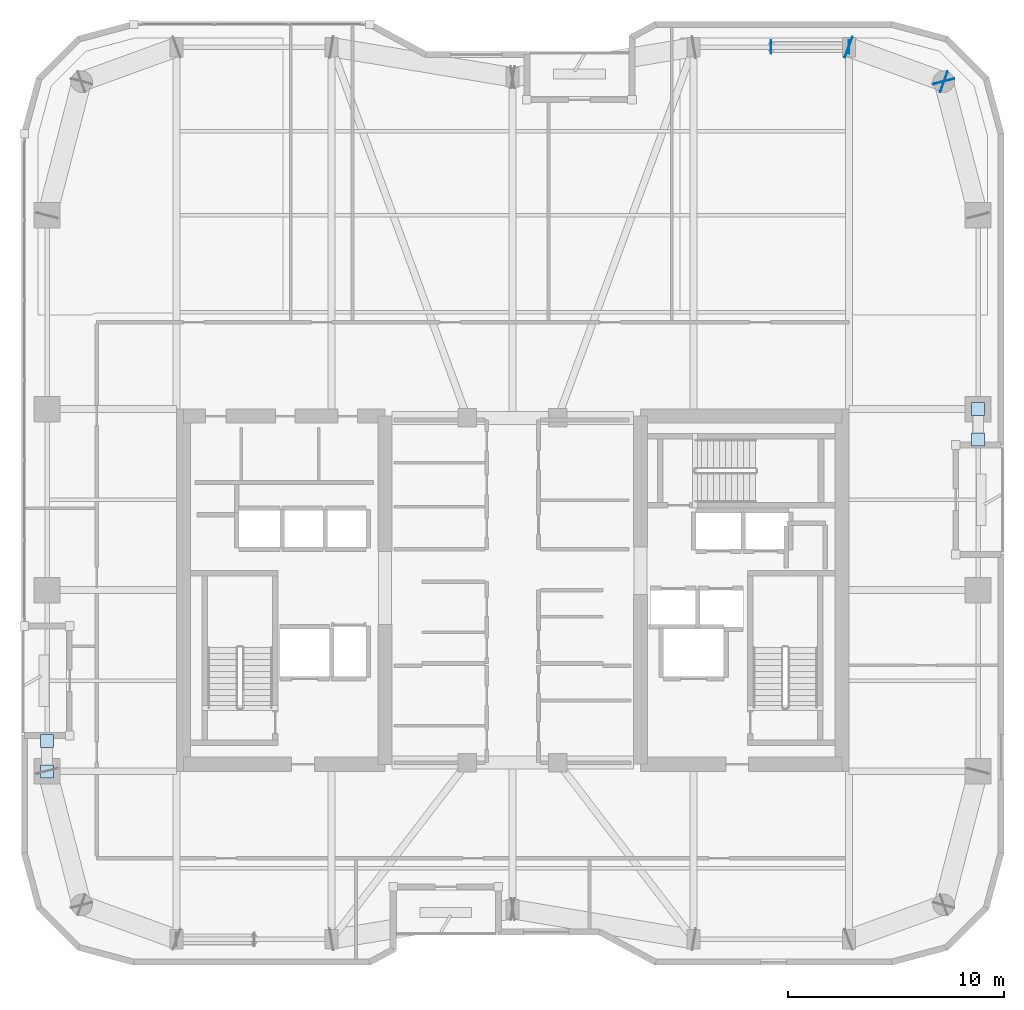
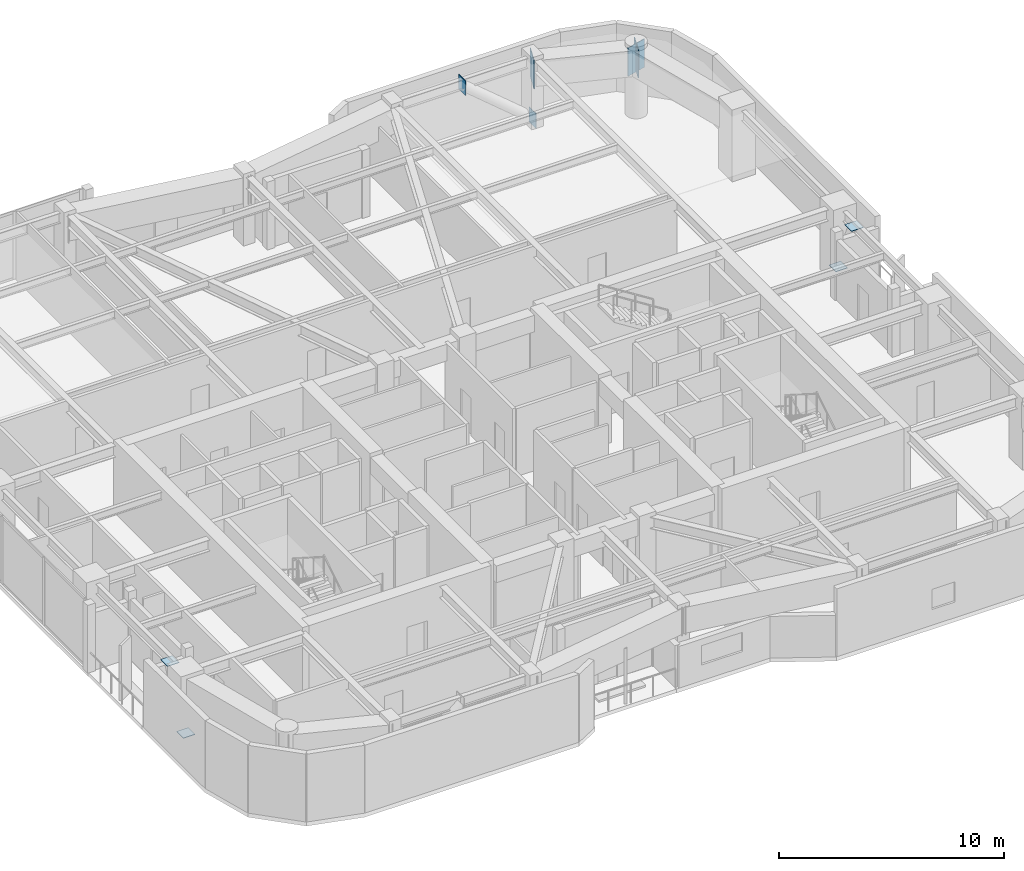
# One storey, part 14 of 21: 9 plates.
"""IFC4 building model written with IfcOpenShell, lengths in metres."""

from ifc_helpers import new_model, si_unit, direction, frame, origin, origin_2d, place, context, subcontext, project, spatial, rectangle, extrude, material, layer, layer_set, type_object, element, save


model = new_model("IFC4")

# Units and contexts
model_context = context("Model", 3, precision=1e-05, world=origin(), true_north=direction((0.0, 1.0)))
body_context = subcontext(model_context, "Body", "Model", "MODEL_VIEW")
ifc_project = project(units=[si_unit("LENGTHUNIT", "METRE"), si_unit("AREAUNIT", "SQUARE_METRE"), si_unit("VOLUMEUNIT", "CUBIC_METRE"), si_unit("PLANEANGLEUNIT", "RADIAN"), si_unit("MASSUNIT", "GRAM", prefix="KILO")], contexts=[model_context])

# Site, building, storey
site_placement = place(None, origin())
site = spatial("IfcSite", under=ifc_project, at=site_placement, CompositionType="ELEMENT")
building_placement = place(site_placement, origin())
building = spatial("IfcBuilding", under=site, at=building_placement, Name="Kiyonajd Concourse Tower", CompositionType="ELEMENT")
storey_placement = place(building_placement, frame((0.0, 0.0, 219.300048828125)))
storey = spatial("IfcBuildingStorey", under=building, at=storey_placement, Name="L55", CompositionType="ELEMENT", Elevation=219.300048828125)

# Plates
ifc_material = material(Name="Steel ASTM A572 Grade 50", Category="steel")
ifc_layer_1 = layer(ifc_material, 0.028076171875)
ifc_layer_set_1 = layer_set([ifc_layer_1], Name="Steel ASTM A572 Grade 50")
plate_type_1 = type_object("IfcPlateType", Name="PL-CAP-450", PredefinedType="USERDEFINED", material=ifc_layer_set_1)
for number, where, z_axis, x_axis, name in (
    (1, (63.6083984375, 61.199951171875, -0.10888671875), (0.0, 0.0, 1.0), (1.0, 0.0, 0.0), "L55 Hollow Brace End Cap Plate PBN"),
    (2, (59.99169921875, 61.199951171875, 2.93505859375), (0.0, 0.0, 1.0), (-1.0, 0.0, 0.0), "L55 Hollow Brace Top Cap Plate PBN"),
):
    element("IfcPlate", number, at=place(storey_placement, frame(where, z_axis=z_axis, x_axis=x_axis)), inside=storey, type_object=plate_type_1, Name=name, ObjectType="CAP PLATE", PredefinedType="USERDEFINED", context=body_context, shape_type="SweptSolid", body=[
        extrude(rectangle(XDim=0.035888671875, YDim=0.6279296875, at=origin_2d()), origin(), (0.0, 0.0, 1.0), 0.803955078125),
    ])
for number, where, z_axis, x_axis, name in (
    (3, (26.39990234375, 27.595458984375, 0.27587890625), (0.0, 0.0, 1.0), (1.0, 0.0, 0.0), "L55 Hollow Brace End Cap Plate PBW"),
    (4, (26.39990234375, 29.004638671875, 3.32568359375), (0.0, 0.0, 1.0), (1.0, 0.0, 0.0), "L55 Hollow Brace Top Cap Plate PBW"),
    (5, (69.60009765625, 44.404541015625, 0.27587890625), (0.0, 0.0, 1.0), (1.0, 0.0, 0.0), "L55 Hollow Brace End Cap Plate PBE"),
    (6, (69.60009765625, 42.995361328125, 3.32568359375), (0.0, 0.0, 1.0), (1.0, 0.0, 0.0), "L55 Hollow Brace Top Cap Plate PBE"),
):
    element("IfcPlate", number, at=place(storey_placement, frame(where, z_axis=z_axis, x_axis=x_axis)), inside=storey, type_object=plate_type_1, Name=name, ObjectType="CAP PLATE", PredefinedType="USERDEFINED", context=body_context, shape_type="SweptSolid", body=[
        extrude(rectangle(XDim=0.60791015625, YDim=0.60791015625, at=origin_2d()), origin(), (0.0, 0.0, 1.0), 0.028076171875),
    ])
ifc_layer_2 = layer(ifc_material, 0.031982421875)
ifc_layer_set_2 = layer_set([ifc_layer_2], Name="Steel ASTM A572 Grade 50")
plate_type_2 = type_object("IfcPlateType", Name="PL-CAP-540", PredefinedType="USERDEFINED", material=ifc_layer_set_2)
for number, where, z_axis, x_axis, name in (
    (7, (67.997314453125, 59.610595703125, 2.2099609375), (0.0, 0.0, 1.0), (-0.249873048837, 0.968278606324, 0.0), "L55 Welded Box Girder End Cap"),
    (8, (68.01025390625, 59.59619140625, 2.2099609375), (0.0, 0.0, 1.0), (0.939811951086, -0.341692107891, 0.0), "L55 Welded Box Girder End Cap"),
    (9, (63.589599609375, 61.203857421875, 2.2099609375), (0.0, 0.0, 1.0), (-0.939811951086, 0.341692107891, 0.0), "L55 Welded Box Girder End Cap"),
):
    element("IfcPlate", number, at=place(storey_placement, frame(where, z_axis=z_axis, x_axis=x_axis)), inside=storey, type_object=plate_type_2, Name=name, ObjectType="CAP PLATE", PredefinedType="USERDEFINED", context=body_context, shape_type="SweptSolid", body=[
        extrude(rectangle(XDim=0.035888671875, YDim=1.02001953125, at=origin_2d()), origin(), (0.0, 0.0, 1.0), 1.5400390625),
    ])

save(model, "model.ifc")
